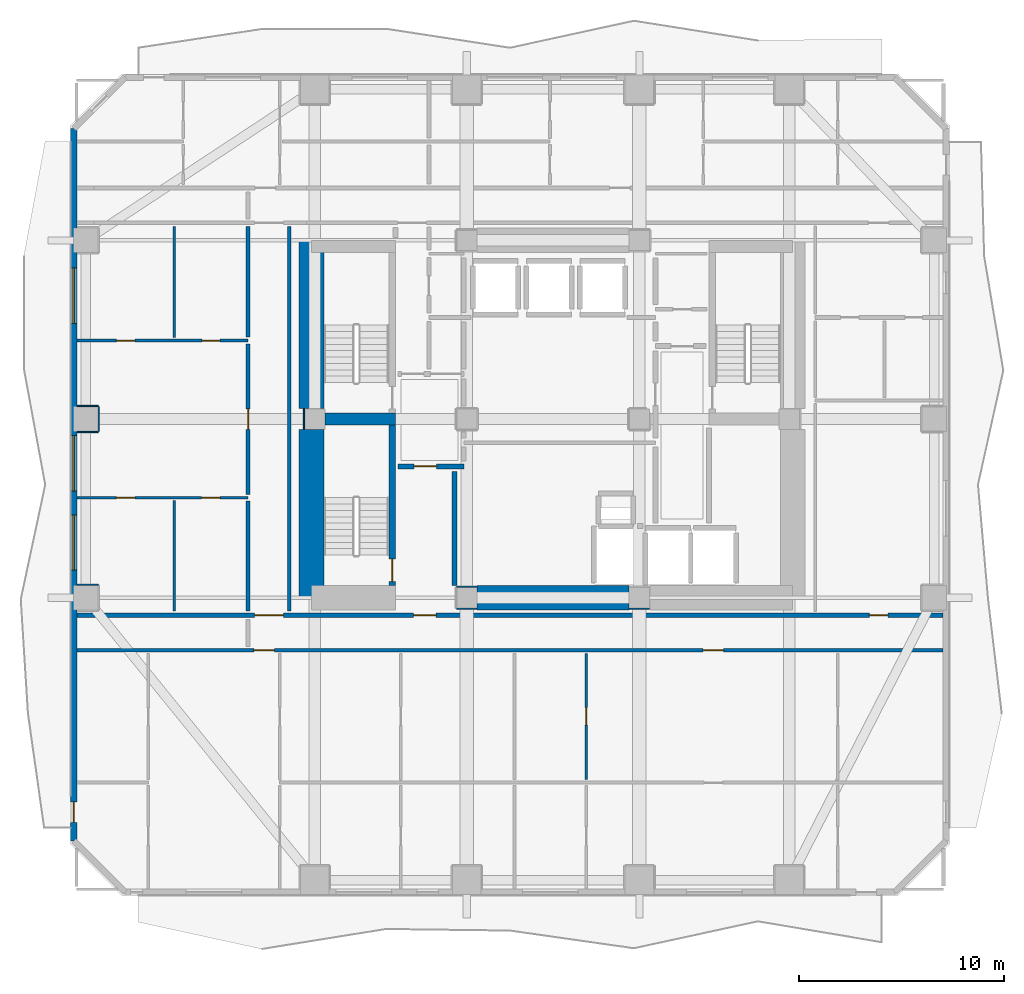
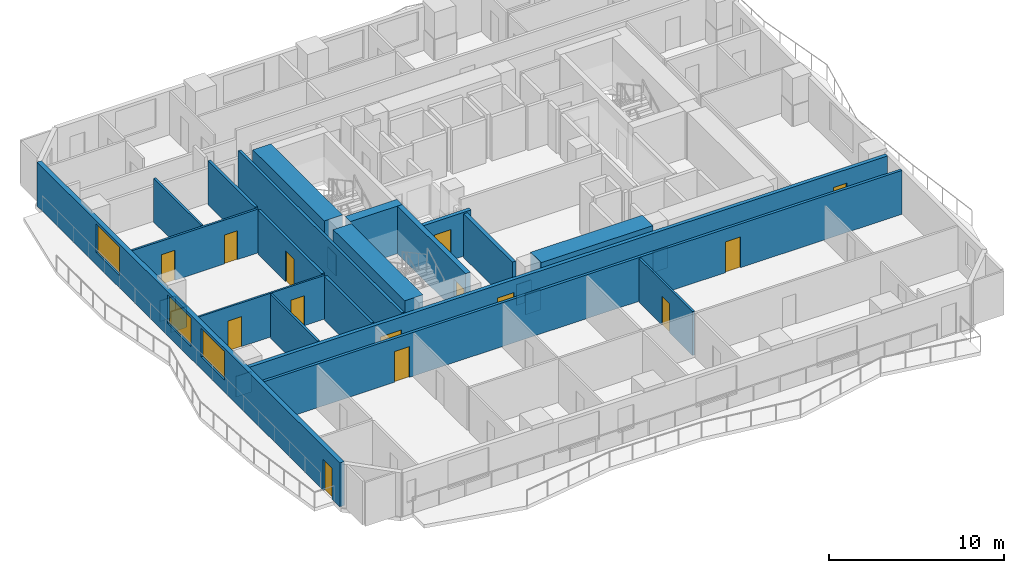
# One storey, part 3 of 11: 27 walls, 14 doors, 3 windows, 17 openings.
"""IFC4 building model written with IfcOpenShell, lengths in metres."""

from ifc_helpers import new_model, si_unit, direction, frame, frame_2d, origin, place, context, subcontext, project, spatial, rectangle, extrude, material, layer, layer_set, type_object, element, fill, save


model = new_model("IFC4")

# Units and contexts
model_context = context("Model", 3, precision=1e-05, world=origin(), true_north=direction((0.0, 1.0)))
body_context = subcontext(model_context, "Body", "Model", "MODEL_VIEW")
ifc_project = project(units=[si_unit("LENGTHUNIT", "METRE"), si_unit("AREAUNIT", "SQUARE_METRE"), si_unit("VOLUMEUNIT", "CUBIC_METRE"), si_unit("PLANEANGLEUNIT", "RADIAN"), si_unit("MASSUNIT", "GRAM", prefix="KILO")], contexts=[model_context])

# Site, building, storey
site_placement = place(None, origin())
site = spatial("IfcSite", under=ifc_project, at=site_placement, CompositionType="ELEMENT")
building_placement = place(site_placement, origin())
building = spatial("IfcBuilding", under=site, at=building_placement, Name="Solanera Arch Residences", CompositionType="ELEMENT")
storey_placement = place(building_placement, frame((0.0, 0.0, 28.639892578125)))
storey = spatial("IfcBuildingStorey", under=building, at=storey_placement, Name="L07", CompositionType="ELEMENT", Elevation=28.639892578125)

# Walls
ifc_material_1 = material(Name="Fire-Rated Gypsum Stud Partition", Category="gypsum")
ifc_layer_1 = layer(ifc_material_1, 0.06005859375)
ifc_layer_set_1 = layer_set([ifc_layer_1], Name="Fire-Rated Gypsum Stud Partition")
wall_type_1 = type_object("IfcWallType", Name="Column Acoustic Furring Wall 60", PredefinedType="PARTITIONING", material=ifc_layer_set_1)
for number, where, z_axis, x_axis, name in (
    (1, (20.300048828125, 21.468017578125, 0.0), (0.0, 0.0, 1.0), (1.0, 0.0, 0.0), "L07 Column Furring 1S"),
    (2, (20.300048828125, 22.531982421875, 0.0), (0.0, 0.0, 1.0), (1.0, 0.0, 0.0), "L07 Column Furring 1N"),
):
    element("IfcWall", number, at=place(storey_placement, frame(where, z_axis=z_axis, x_axis=x_axis)), inside=storey, type_object=wall_type_1, Name=name, PredefinedType="PARTITIONING", context=body_context, shape_type="SweptSolid", body=[
        extrude(rectangle(XDim=0.989990234375, YDim=0.06005859375, at=frame_2d((0.4951171875, 0.0))), origin(), (0.0, 0.0, 1.0), 1.4501953125),
    ])
for number, where, z_axis, x_axis, name in (
    (3, (28.7099609375, 21.468017578125, 0.0), (0.0, 0.0, 1.0), (1.0, 0.0, 0.0), "L07 Column Furring 2S"),
    (4, (12.867919921875, 30.2099609375, 0.0), (0.0, 0.0, 1.0), (0.0, 1.0, 0.0), "L07 Column Furring 5W"),
):
    element("IfcWall", number, at=place(storey_placement, frame(where, z_axis=z_axis, x_axis=x_axis)), inside=storey, type_object=wall_type_1, Name=name, PredefinedType="PARTITIONING", context=body_context, shape_type="SweptSolid", body=[
        extrude(rectangle(XDim=0.97998046875, YDim=0.06005859375, at=frame_2d((0.489990234375, 0.0))), origin(), (0.0, 0.0, 1.0), 1.4501953125),
    ])
for number, where, z_axis, x_axis, name in (
    (5, (1.830078125, 22.632080078125, 0.0), (0.0, 0.0, 1.0), (1.0, 0.0, 0.0), "L07 Column Furring 17N"),
    (6, (1.830078125, 30.068115234375, 0.0), (0.0, 0.0, 1.0), (1.0, 0.0, 0.0), "L07 Column Furring 19S"),
    (7, (1.830078125, 31.33203125, 0.0), (0.0, 0.0, 1.0), (1.0, 0.0, 0.0), "L07 Column Furring 19N"),
):
    element("IfcWall", number, at=place(storey_placement, frame(where, z_axis=z_axis, x_axis=x_axis)), inside=storey, type_object=wall_type_1, Name=name, PredefinedType="PARTITIONING", context=body_context, shape_type="SweptSolid", body=[
        extrude(rectangle(XDim=1.02001953125, YDim=0.06005859375, at=frame_2d((0.510009765625, 0.0))), origin(), (0.0, 0.0, 1.0), 1.4501953125),
    ])
wall_1_placement = place(storey_placement, frame((2.882080078125, 30.10009765625, 0.0), z_axis=(0.0, 0.0, 1.0), x_axis=(0.0, 1.0, 0.0)))
element("IfcWall", 8, at=wall_1_placement, inside=storey, type_object=wall_type_1, Name="L07 Column Furring 19E", PredefinedType="PARTITIONING", context=body_context, shape_type="SweptSolid", body=[
    extrude(rectangle(XDim=1.199951171875, YDim=0.06005859375, at=frame_2d((0.60009765625, 0.0))), origin(), (0.0, 0.0, 1.0), 1.4501953125),
])
ifc_material_2 = material(Name="Concrete C55/67 (f'c = 60 MPa)", Category="concrete")
ifc_layer_2 = layer(ifc_material_2, 1.199951171875)
ifc_layer_set_2 = layer_set([ifc_layer_2], Name="Concrete C55/67 (f'c = 60 MPa)")
wall_type_2 = type_object("IfcWallType", Name="Core Shear Wall CW-1200", PredefinedType="SHEAR", material=ifc_layer_set_2)
wall_2_placement = place(storey_placement, frame((13.239990234375, 22.0, 0.0), z_axis=(0.0, 0.0, 1.0), x_axis=(0.0, 1.0, 0.0)))
element("IfcWall", 9, at=wall_2_placement, inside=storey, type_object=wall_type_2, Name="L07 West Core South Shear Wall", PredefinedType="SHEAR", context=body_context, shape_type="SweptSolid", body=[
    extrude(rectangle(XDim=8.195068359375, YDim=1.199951171875, at=frame_2d((4.09765625, 0.0))), origin(), (0.0, 0.0, 1.0), 3.320068359375),
])
wall_3_placement = place(storey_placement, frame((13.239990234375, 31.205078125, 0.0), z_axis=(0.0, 0.0, 1.0), x_axis=(0.0, 1.0, 0.0)))
element("IfcWall", 10, at=wall_3_placement, inside=storey, type_object=wall_type_2, Name="L07 West Core North Shear Wall", PredefinedType="SHEAR", context=body_context, shape_type="SweptSolid", body=[
    extrude(rectangle(XDim=8.19482421875, YDim=1.199951171875, at=frame_2d((4.097412109375, 0.0))), origin(), (0.0, 0.0, 1.0), 3.320068359375),
])
wall_4_placement = place(storey_placement, frame((21.304931640625, 22.0, 0.0), z_axis=(0.0, 0.0, 1.0), x_axis=(1.0, 0.0, 0.0)))
element("IfcWall", 11, at=wall_4_placement, inside=storey, type_object=wall_type_2, Name="L07 Central South Core Shear Wall", PredefinedType="SHEAR", context=body_context, shape_type="SweptSolid", body=[
    extrude(rectangle(XDim=7.39013671875, YDim=1.199951171875, at=frame_2d((3.695068359375, 0.0))), origin(), (0.0, 0.0, 1.0), 3.320068359375),
])

# Wall, opening, door
ifc_material_3 = material(Name="Concrete C40/50 (f'c = 45 MPa)", Category="concrete")
ifc_layer_3 = layer(ifc_material_3, 0.320068359375)
ifc_layer_set_3 = layer_set([ifc_layer_3], Name="Concrete C40/50 (f'c = 45 MPa)")
wall_type_3 = type_object("IfcWallType", Name="Core Shear Wall CW-320", PredefinedType="SHEAR", material=ifc_layer_set_3)
wall_5_placement = place(storey_placement, frame((17.159912109375, 22.60009765625, 0.0), z_axis=(0.0, 0.0, 1.0), x_axis=(0.0, 1.0, 0.0)))
wall_5 = element("IfcWall", 12, at=wall_5_placement, inside=storey, type_object=wall_type_3, Name="L07 Stair ST-T3 East Shear Wall", PredefinedType="SHEAR", context=body_context, shape_type="SweptSolid", body=[
    extrude(rectangle(XDim=7.7998046875, YDim=0.320068359375, at=frame_2d((3.89990234375, 0.0))), origin(), (0.0, 0.0, 1.0), 3.320068359375),
])
opening_1_placement = place(wall_5_placement, frame((0.18994140625, 0.0, 0.0)))
opening_1 = element("IfcOpeningElement", 13, at=opening_1_placement, cuts=wall_5, Name="Opening DF-01", PredefinedType="OPENING", context=body_context, shape_type="SweptSolid", body=[
    extrude(rectangle(XDim=1.10009765625, YDim=2.14990234375, at=frame_2d((0.550048828125, 1.074951171875))), frame((0.0, 0.169921875, 0.0), z_axis=(0.0, -1.0, 0.0), x_axis=(1.0, 0.0, 0.0)), (0.0, 0.0, 1.0), 0.3401),
])
ifc_material_4 = material(Name="Fire-Rated Architectural Hardwood", Category="wood")
door_type_1 = type_object("IfcDoorType", Name="Stair Exit Fire Door DF-01", OperationType="NOTDEFINED", PredefinedType="DOOR", material=ifc_material_4)
door_1_placement = place(opening_1_placement, origin())
door_1 = element("IfcDoor", 14, at=door_1_placement, inside=storey, type_object=door_type_1, Name="DR-L07-STAIR-ST-T3", OperationType="SINGLE_SWING_RIGHT", OverallHeight=2.14990234375, OverallWidth=1.10009765625, PredefinedType="DOOR", context=body_context, shape_type="SweptSolid", body=[
    extrude(rectangle(XDim=1.10009765625, YDim=2.14990234375, at=frame_2d((0.550048828125, 1.074951171875))), frame((0.0, 0.02490234375, 0.0), z_axis=(0.0, -1.0, 0.0), x_axis=(1.0, 0.0, 0.0)), (0.0, 0.0, 1.0), 0.050048828125),
])
fill(opening_1, door_1)

# Wall
ifc_material_5 = material(Name="Concrete C40/50 (f'c = 45 MPa)", Category="concrete")
ifc_layer_4 = layer(ifc_material_5, 0.60009765625)
ifc_layer_set_4 = layer_set([ifc_layer_4], Name="Concrete C40/50 (f'c = 45 MPa)")
wall_type_4 = type_object("IfcWallType", Name="Core Shear Wall CW-600", PredefinedType="SHEAR", material=ifc_layer_set_4)
wall_6_placement = place(storey_placement, frame((13.905029296875, 30.699951171875, 0.0), z_axis=(0.0, 0.0, 1.0), x_axis=(1.0, 0.0, 0.0)))
element("IfcWall", 15, at=wall_6_placement, inside=storey, type_object=wall_type_4, Name="L07 West Stair Divider Shear Wall", PredefinedType="SHEAR", context=body_context, shape_type="SweptSolid", body=[
    extrude(rectangle(XDim=3.4150390625, YDim=0.60009765625, at=frame_2d((1.70751953125, 0.0))), origin(), (0.0, 0.0, 1.0), 3.320068359375),
])

# Wall, openings, doors
ifc_material_6 = material(Name="Autoclaved Aerated Concrete Blockwork", Category="masonry")
ifc_layer_5 = layer(ifc_material_6, 0.179931640625)
ifc_layer_set_5 = layer_set([ifc_layer_5], Name="Autoclaved Aerated Concrete Blockwork")
wall_type_5 = type_object("IfcWallType", Name="Corridor Fire Partition 180", PredefinedType="PARTITIONING", material=ifc_layer_set_5)
wall_7_placement = place(storey_placement, frame((1.826904296875, 19.449951171875, 0.0), z_axis=(0.0, 0.0, 1.0), x_axis=(1.0, 0.0, 0.0)))
wall_7 = element("IfcWall", 16, at=wall_7_placement, inside=storey, type_object=wall_type_5, Name="L07 Interior Partition H8", PredefinedType="PARTITIONING", context=body_context, shape_type="SweptSolid", body=[
    extrude(rectangle(XDim=42.14599609375, YDim=0.179931640625, at=frame_2d((21.072998046875, 0.0))), origin(), (0.0, 0.0, 1.0), 3.06005859375),
])
opening_2_placement = place(wall_7_placement, frame((8.60205078125, 0.0, 0.0)))
opening_2 = element("IfcOpeningElement", 17, at=opening_2_placement, cuts=wall_7, Name="Opening DI-01", PredefinedType="OPENING", context=body_context, shape_type="SweptSolid", body=[
    extrude(rectangle(XDim=1.0, YDim=2.14990234375, at=frame_2d((0.5, 1.074951171875))), frame((0.0, 0.10009765625, 0.0), z_axis=(0.0, -1.0, 0.0), x_axis=(1.0, 0.0, 0.0)), (0.0, 0.0, 1.0), 0.1999),
])
opening_3_placement = place(wall_7_placement, frame((30.47509765625, 0.0, 0.0)))
opening_3 = element("IfcOpeningElement", 18, at=opening_3_placement, cuts=wall_7, Name="Opening DI-01", PredefinedType="OPENING", context=body_context, shape_type="SweptSolid", body=[
    extrude(rectangle(XDim=1.0, YDim=2.14990234375, at=frame_2d((0.5, 1.074951171875))), frame((0.0, 0.10009765625, 0.0), z_axis=(0.0, -1.0, 0.0), x_axis=(1.0, 0.0, 0.0)), (0.0, 0.0, 1.0), 0.1999),
])
ifc_material_7 = material(Name="Fire-Rated Architectural Hardwood", Category="wood")
door_type_2 = type_object("IfcDoorType", Name="Unit Entrance Fire Door DI-01", OperationType="NOTDEFINED", PredefinedType="DOOR", material=ifc_material_7)
door_2_placement = place(opening_2_placement, origin())
door_2 = element("IfcDoor", 19, at=door_2_placement, inside=storey, type_object=door_type_2, Name="DR-L07-IN-015", OperationType="SINGLE_SWING_RIGHT", OverallHeight=2.14990234375, OverallWidth=1.0, PredefinedType="DOOR", context=body_context, shape_type="SweptSolid", body=[
    extrude(rectangle(XDim=1.0, YDim=2.14990234375, at=frame_2d((0.5, 1.074951171875))), frame((0.0, 0.02490234375, 0.0), z_axis=(0.0, -1.0, 0.0), x_axis=(1.0, 0.0, 0.0)), (0.0, 0.0, 1.0), 0.050048828125),
])
fill(opening_2, door_2)
door_3_placement = place(opening_3_placement, origin())
door_3 = element("IfcDoor", 20, at=door_3_placement, inside=storey, type_object=door_type_2, Name="DR-L07-IN-022", OperationType="SINGLE_SWING_LEFT", OverallHeight=2.14990234375, OverallWidth=1.0, PredefinedType="DOOR", context=body_context, shape_type="SweptSolid", body=[
    extrude(rectangle(XDim=1.0, YDim=2.14990234375, at=frame_2d((0.5, 1.074951171875))), frame((0.0, 0.02490234375, 0.0), z_axis=(0.0, -1.0, 0.0), x_axis=(1.0, 0.0, 0.0)), (0.0, 0.0, 1.0), 0.050048828125),
])
fill(opening_3, door_3)

# Wall
wall_8_placement = place(storey_placement, frame((10.14990234375, 21.367919921875, 0.0), z_axis=(0.0, 0.0, 1.0), x_axis=(0.0, 1.0, 0.0)))
element("IfcWall", 21, at=wall_8_placement, inside=storey, type_object=wall_type_5, Name="L07 Interior Partition V8 2", PredefinedType="PARTITIONING", context=body_context, shape_type="SweptSolid", body=[
    extrude(rectangle(XDim=5.35400390625, YDim=0.179931640625, at=frame_2d((2.677001953125, 0.0))), origin(), (0.0, 0.0, 1.0), 3.06005859375),
])

# Wall, opening, door
wall_9_placement = place(storey_placement, frame((10.14990234375, 27.0380859375, 0.0), z_axis=(0.0, 0.0, 1.0), x_axis=(0.0, 1.0, 0.0)))
wall_9 = element("IfcWall", 22, at=wall_9_placement, inside=storey, type_object=wall_type_5, Name="L07 Interior Partition V8 3", PredefinedType="PARTITIONING", context=body_context, shape_type="SweptSolid", body=[
    extrude(rectangle(XDim=7.31396484375, YDim=0.179931640625, at=frame_2d((3.656982421875, 0.0))), origin(), (0.0, 0.0, 1.0), 3.06005859375),
])
opening_4_placement = place(wall_9_placement, frame((3.162109375, 0.0, 0.0)))
opening_4 = element("IfcOpeningElement", 23, at=opening_4_placement, cuts=wall_9, Name="Opening DI-01", PredefinedType="OPENING", context=body_context, shape_type="SweptSolid", body=[
    extrude(rectangle(XDim=1.0, YDim=2.14990234375, at=frame_2d((0.5, 1.074951171875))), frame((0.0, 0.10009765625, 0.0), z_axis=(0.0, -1.0, 0.0), x_axis=(1.0, 0.0, 0.0)), (0.0, 0.0, 1.0), 0.1999),
])
door_4_placement = place(opening_4_placement, origin())
door_4 = element("IfcDoor", 24, at=door_4_placement, inside=storey, type_object=door_type_2, Name="DR-L07-IN-040", OperationType="SINGLE_SWING_LEFT", OverallHeight=2.14990234375, OverallWidth=1.0, PredefinedType="DOOR", context=body_context, shape_type="SweptSolid", body=[
    extrude(rectangle(XDim=1.0, YDim=2.14990234375, at=frame_2d((0.5, 1.074951171875))), frame((0.0, 0.02490234375, 0.0), z_axis=(0.0, -1.0, 0.0), x_axis=(1.0, 0.0, 0.0)), (0.0, 0.0, 1.0), 0.050048828125),
])
fill(opening_4, door_4)

# Walls
wall_10_placement = place(storey_placement, frame((10.14990234375, 34.68798828125, 0.0), z_axis=(0.0, 0.0, 1.0), x_axis=(0.0, 1.0, 0.0)))
element("IfcWall", 25, at=wall_10_placement, inside=storey, type_object=wall_type_5, Name="L07 Interior Partition V8 4", PredefinedType="PARTITIONING", context=body_context, shape_type="SweptSolid", body=[
    extrude(rectangle(XDim=5.3740234375, YDim=0.179931640625, at=frame_2d((2.68701171875, 0.0))), origin(), (0.0, 0.0, 1.0), 3.06005859375),
])
wall_11_placement = place(storey_placement, frame((12.14990234375, 21.367919921875, 0.0), z_axis=(0.0, 0.0, 1.0), x_axis=(0.0, 1.0, 0.0)))
element("IfcWall", 26, at=wall_11_placement, inside=storey, type_object=wall_type_5, Name="L07 Interior Partition V9", PredefinedType="PARTITIONING", context=body_context, shape_type="SweptSolid", body=[
    extrude(rectangle(XDim=18.694091796875, YDim=0.179931640625, at=frame_2d((9.34716796875, 0.0))), origin(), (0.0, 0.0, 1.0), 3.06005859375),
])

# Wall, openings, door, windows
ifc_material_8 = material(Name="Precast Concrete C35/45", Category="concrete")
ifc_layer_6 = layer(ifc_material_8, 0.300048828125)
ifc_layer_set_6 = layer_set([ifc_layer_6], Name="Precast Concrete C35/45")
wall_type_6 = type_object("IfcWallType", Name="Exterior Wall Precast Masonry-Frame 300", PredefinedType="STANDARD", material=ifc_layer_set_6)
wall_12_placement = place(storey_placement, frame((1.6650390625, 10.1650390625, 0.0), z_axis=(0.0, 0.0, 1.0), x_axis=(0.0, 1.0, 0.0)))
wall_12 = element("IfcWall", 27, at=wall_12_placement, inside=storey, type_object=wall_type_6, Name="L07 Tower Exterior Precast Masonry-Frame Wall W", PredefinedType="STANDARD", context=body_context, shape_type="SweptSolid", body=[
    extrude(rectangle(XDim=34.669921875, YDim=0.300048828125, at=frame_2d((17.3349609375, 0.0))), origin(), (0.0, 0.0, 1.0), 3.06005859375),
])
opening_5_placement = place(wall_12_placement, frame((0.90087890625, 0.0, 0.0)))
opening_5 = element("IfcOpeningElement", 28, at=opening_5_placement, cuts=wall_12, Name="Opening DB-01", PredefinedType="OPENING", context=body_context, shape_type="SweptSolid", body=[
    extrude(rectangle(XDim=1.0, YDim=2.14990234375, at=frame_2d((0.5, 1.074951171875))), frame((0.0, 0.159912109375, 0.0), z_axis=(0.0, -1.0, 0.0), x_axis=(1.0, 0.0, 0.0)), (0.0, 0.0, 1.0), 0.32),
])
opening_6_placement = place(wall_12_placement, frame((17.02490234375, 0.0, 0.85009765625)))
opening_6 = element("IfcOpeningElement", 29, at=opening_6_placement, cuts=wall_12, Name="Opening W-09", PredefinedType="OPENING", context=body_context, shape_type="SweptSolid", body=[
    extrude(rectangle(XDim=2.699951171875, YDim=2.0, at=frame_2d((1.35009765625, 1.0))), frame((0.0, 0.159912109375, 0.0), z_axis=(0.0, -1.0, 0.0), x_axis=(1.0, 0.0, 0.0)), (0.0, 0.0, 1.0), 0.32),
])
opening_7_placement = place(wall_12_placement, frame((13.175048828125, 0.0, 0.85009765625)))
opening_7 = element("IfcOpeningElement", 30, at=opening_7_placement, cuts=wall_12, Name="Opening W-09", PredefinedType="OPENING", context=body_context, shape_type="SweptSolid", body=[
    extrude(rectangle(XDim=2.699951171875, YDim=2.0, at=frame_2d((1.35009765625, 1.0))), frame((0.0, 0.159912109375, 0.0), z_axis=(0.0, -1.0, 0.0), x_axis=(1.0, 0.0, 0.0)), (0.0, 0.0, 1.0), 0.32),
])
opening_8_placement = place(wall_12_placement, frame((25.195068359375, 0.0, 0.85009765625)))
opening_8 = element("IfcOpeningElement", 31, at=opening_8_placement, cuts=wall_12, Name="Opening W-09", PredefinedType="OPENING", context=body_context, shape_type="SweptSolid", body=[
    extrude(rectangle(XDim=2.699951171875, YDim=2.0, at=frame_2d((1.35009765625, 1.0))), frame((0.0, 0.159912109375, 0.0), z_axis=(0.0, -1.0, 0.0), x_axis=(1.0, 0.0, 0.0)), (0.0, 0.0, 1.0), 0.32),
])
ifc_material_9 = material(Name="Anodised Aluminium Alloy 6063-T6", Category="aluminium")
door_type_3 = type_object("IfcDoorType", Name="Glazed Balcony Swing Door DB-01", OperationType="NOTDEFINED", PredefinedType="DOOR", material=ifc_material_9)
door_5_placement = place(opening_5_placement, origin())
door_5 = element("IfcDoor", 32, at=door_5_placement, inside=storey, type_object=door_type_3, Name="DR-L07-OUT-04", OperationType="SINGLE_SWING_RIGHT", OverallHeight=2.14990234375, OverallWidth=1.0, PredefinedType="DOOR", context=body_context, shape_type="SweptSolid", body=[
    extrude(rectangle(XDim=1.0, YDim=2.14990234375, at=frame_2d((0.5, 1.074951171875))), frame((0.0, 0.02490234375, 0.0), z_axis=(0.0, -1.0, 0.0), x_axis=(1.0, 0.0, 0.0)), (0.0, 0.0, 1.0), 0.050048828125),
])
fill(opening_5, door_5)
ifc_material_10 = material(Name="Double Glazed Low-E Laminated Glass", Category="glass")
window_type = type_object("IfcWindowType", Name="Punched Window W-09", PartitioningType="TRIPLE_PANEL_VERTICAL", PredefinedType="WINDOW", material=ifc_material_10)
window_1_placement = place(opening_6_placement, origin())
window_1 = element("IfcWindow", 33, at=window_1_placement, inside=storey, type_object=window_type, Name="L07 0705-LIV Punched Window", OverallHeight=2.0, OverallWidth=2.699951171875, PartitioningType="SINGLE_PANEL", PredefinedType="WINDOW", context=body_context, shape_type="SweptSolid", body=[
    extrude(rectangle(XDim=2.699951171875, YDim=2.0, at=frame_2d((1.35009765625, 1.0))), frame((0.0, 0.030029296875, 0.0), z_axis=(0.0, -1.0, 0.0), x_axis=(1.0, 0.0, 0.0)), (0.0, 0.0, 1.0), 0.06005859375),
])
fill(opening_6, window_1)
window_2_placement = place(opening_7_placement, origin())
window_2 = element("IfcWindow", 34, at=window_2_placement, inside=storey, type_object=window_type, Name="L07 0705-BR2 Punched Window", OverallHeight=2.0, OverallWidth=2.699951171875, PartitioningType="SINGLE_PANEL", PredefinedType="WINDOW", context=body_context, shape_type="SweptSolid", body=[
    extrude(rectangle(XDim=2.699951171875, YDim=2.0, at=frame_2d((1.35009765625, 1.0))), frame((0.0, 0.030029296875, 0.0), z_axis=(0.0, -1.0, 0.0), x_axis=(1.0, 0.0, 0.0)), (0.0, 0.0, 1.0), 0.06005859375),
])
fill(opening_7, window_2)
window_3_placement = place(opening_8_placement, origin())
window_3 = element("IfcWindow", 35, at=window_3_placement, inside=storey, type_object=window_type, Name="L07 0705-BR1 Punched Window", OverallHeight=2.0, OverallWidth=2.699951171875, PartitioningType="SINGLE_PANEL", PredefinedType="WINDOW", context=body_context, shape_type="SweptSolid", body=[
    extrude(rectangle(XDim=2.699951171875, YDim=2.0, at=frame_2d((1.35009765625, 1.0))), frame((0.0, 0.030029296875, 0.0), z_axis=(0.0, -1.0, 0.0), x_axis=(1.0, 0.0, 0.0)), (0.0, 0.0, 1.0), 0.06005859375),
])
fill(opening_8, window_3)

# Wall, openings, doors
ifc_material_11 = material(Name="Autoclaved Aerated Concrete Blockwork", Category="masonry")
ifc_layer_7 = layer(ifc_material_11, 0.239990234375)
ifc_layer_set_7 = layer_set([ifc_layer_7], Name="Autoclaved Aerated Concrete Blockwork")
wall_type_7 = type_object("IfcWallType", Name="Shaft Wall Fire-Rated 240", PredefinedType="PARTITIONING", material=ifc_layer_set_7)
wall_13_placement = place(storey_placement, frame((1.826904296875, 21.14990234375, 0.0), z_axis=(0.0, 0.0, 1.0), x_axis=(1.0, 0.0, 0.0)))
wall_13 = element("IfcWall", 36, at=wall_13_placement, inside=storey, type_object=wall_type_7, Name="L07 Interior Partition H1", PredefinedType="PARTITIONING", context=body_context, shape_type="SweptSolid", body=[
    extrude(rectangle(XDim=42.14599609375, YDim=0.239990234375, at=frame_2d((21.072998046875, 0.0))), origin(), (0.0, 0.0, 1.0), 3.06005859375),
])
opening_9_placement = place(wall_13_placement, frame((16.383056640625, 0.0, 0.0)))
opening_9 = element("IfcOpeningElement", 37, at=opening_9_placement, cuts=wall_13, Name="Opening DF-02", PredefinedType="OPENING", context=body_context, shape_type="SweptSolid", body=[
    extrude(rectangle(XDim=1.10009765625, YDim=2.14990234375, at=frame_2d((0.550048828125, 1.074951171875))), frame((0.0, 0.1298828125, 0.0), z_axis=(0.0, -1.0, 0.0), x_axis=(1.0, 0.0, 0.0)), (0.0, 0.0, 1.0), 0.26),
])
opening_10_placement = place(wall_13_placement, frame((8.64697265625, 0.0, 0.0)))
opening_10 = element("IfcOpeningElement", 38, at=opening_10_placement, cuts=wall_13, Name="Opening DF-03", PredefinedType="OPENING", context=body_context, shape_type="SweptSolid", body=[
    extrude(rectangle(XDim=1.39990234375, YDim=2.14990234375, at=frame_2d((0.699951171875, 1.074951171875))), frame((0.0, 0.1298828125, 0.0), z_axis=(0.0, -1.0, 0.0), x_axis=(1.0, 0.0, 0.0)), (0.0, 0.0, 1.0), 0.26),
])
opening_11_placement = place(wall_13_placement, frame((38.573974609375, 0.0, 0.0)))
opening_11 = element("IfcOpeningElement", 39, at=opening_11_placement, cuts=wall_13, Name="Opening DI-02", PredefinedType="OPENING", context=body_context, shape_type="SweptSolid", body=[
    extrude(rectangle(XDim=0.89990234375, YDim=2.10009765625, at=frame_2d((0.449951171875, 1.050048828125))), frame((0.0, 0.1298828125, 0.0), z_axis=(0.0, -1.0, 0.0), x_axis=(1.0, 0.0, 0.0)), (0.0, 0.0, 1.0), 0.26),
])
ifc_material_12 = material(Name="Fire-Rated Architectural Hardwood", Category="wood")
door_type_4 = type_object("IfcDoorType", Name="Corridor Smoke Door DF-03", OperationType="NOTDEFINED", PredefinedType="DOOR", material=ifc_material_12)
door_6_placement = place(opening_10_placement, origin())
door_6 = element("IfcDoor", 40, at=door_6_placement, inside=storey, type_object=door_type_4, Name="DR-L07-IN-010", OperationType="SINGLE_SWING_LEFT", OverallHeight=2.14990234375, OverallWidth=1.39990234375, PredefinedType="DOOR", context=body_context, shape_type="SweptSolid", body=[
    extrude(rectangle(XDim=1.39990234375, YDim=2.14990234375, at=frame_2d((0.699951171875, 1.074951171875))), frame((0.0, 0.02490234375, 0.0), z_axis=(0.0, -1.0, 0.0), x_axis=(1.0, 0.0, 0.0)), (0.0, 0.0, 1.0), 0.050048828125),
])
fill(opening_10, door_6)
ifc_material_13 = material(Name="Fire-Rated Architectural Hardwood", Category="wood")
door_type_5 = type_object("IfcDoorType", Name="Firefighting Lobby Fire Door DF-02", OperationType="NOTDEFINED", PredefinedType="DOOR", material=ifc_material_13)
door_7_placement = place(opening_9_placement, origin())
door_7 = element("IfcDoor", 41, at=door_7_placement, inside=storey, type_object=door_type_5, Name="DR-L07-IN-008", OperationType="SINGLE_SWING_LEFT", OverallHeight=2.14990234375, OverallWidth=1.10009765625, PredefinedType="DOOR", context=body_context, shape_type="SweptSolid", body=[
    extrude(rectangle(XDim=1.10009765625, YDim=2.14990234375, at=frame_2d((0.550048828125, 1.074951171875))), frame((0.0, 0.02490234375, 0.0), z_axis=(0.0, -1.0, 0.0), x_axis=(1.0, 0.0, 0.0)), (0.0, 0.0, 1.0), 0.050048828125),
])
fill(opening_9, door_7)
ifc_material_14 = material(Name="Fire-Rated Architectural Hardwood", Category="wood")
door_type_6 = type_object("IfcDoorType", Name="Suite Room Swing Door DI-02", OperationType="NOTDEFINED", PredefinedType="DOOR", material=ifc_material_14)
door_8_placement = place(opening_11_placement, origin())
door_8 = element("IfcDoor", 42, at=door_8_placement, inside=storey, type_object=door_type_6, Name="DR-L07-IN-045", OperationType="SINGLE_SWING_RIGHT", OverallHeight=2.10009765625, OverallWidth=0.89990234375, PredefinedType="DOOR", context=body_context, shape_type="SweptSolid", body=[
    extrude(rectangle(XDim=0.89990234375, YDim=2.10009765625, at=frame_2d((0.449951171875, 1.050048828125))), frame((0.0, 0.02490234375, 0.0), z_axis=(0.0, -1.0, 0.0), x_axis=(1.0, 0.0, 0.0)), (0.0, 0.0, 1.0), 0.050048828125),
])
fill(opening_11, door_8)

# Wall, opening, door
wall_14_placement = place(storey_placement, frame((17.449951171875, 28.39990234375, 0.0), z_axis=(0.0, 0.0, 1.0), x_axis=(1.0, 0.0, 0.0)))
wall_14 = element("IfcWall", 43, at=wall_14_placement, inside=storey, type_object=wall_type_7, Name="L07 Interior Partition H3", PredefinedType="PARTITIONING", context=body_context, shape_type="SweptSolid", body=[
    extrude(rectangle(XDim=3.199951171875, YDim=0.239990234375, at=frame_2d((1.60009765625, 0.0))), origin(), (0.0, 0.0, 1.0), 3.06005859375),
])
opening_12_placement = place(wall_14_placement, frame((0.783935546875, 0.0, 0.0)))
opening_12 = element("IfcOpeningElement", 44, at=opening_12_placement, cuts=wall_14, Name="Opening DF-02", PredefinedType="OPENING", context=body_context, shape_type="SweptSolid", body=[
    extrude(rectangle(XDim=1.10009765625, YDim=2.14990234375, at=frame_2d((0.550048828125, 1.074951171875))), frame((0.0, 0.1298828125, 0.0), z_axis=(0.0, -1.0, 0.0), x_axis=(1.0, 0.0, 0.0)), (0.0, 0.0, 1.0), 0.26),
])
door_9_placement = place(opening_12_placement, origin())
door_9 = element("IfcDoor", 45, at=door_9_placement, inside=storey, type_object=door_type_5, Name="DR-L07-IN-004", OperationType="SINGLE_SWING_LEFT", OverallHeight=2.14990234375, OverallWidth=1.10009765625, PredefinedType="DOOR", context=body_context, shape_type="SweptSolid", body=[
    extrude(rectangle(XDim=1.10009765625, YDim=2.14990234375, at=frame_2d((0.550048828125, 1.074951171875))), frame((0.0, 0.02490234375, 0.0), z_axis=(0.0, -1.0, 0.0), x_axis=(1.0, 0.0, 0.0)), (0.0, 0.0, 1.0), 0.050048828125),
])
fill(opening_12, door_9)

# Wall
wall_15_placement = place(storey_placement, frame((20.199951171875, 22.5859375, 0.0), z_axis=(0.0, 0.0, 1.0), x_axis=(0.0, 1.0, 0.0)))
element("IfcWall", 46, at=wall_15_placement, inside=storey, type_object=wall_type_7, Name="L07 Interior Partition V2", PredefinedType="PARTITIONING", context=body_context, shape_type="SweptSolid", body=[
    extrude(rectangle(XDim=5.566162109375, YDim=0.239990234375, at=frame_2d((2.783203125, 0.0))), origin(), (0.0, 0.0, 1.0), 3.06005859375),
])

# Wall, openings, doors
ifc_material_15 = material(Name="Fire-Rated Gypsum Stud Partition", Category="gypsum")
ifc_layer_8 = layer(ifc_material_15, 0.1201171875)
ifc_layer_set_8 = layer_set([ifc_layer_8], Name="Fire-Rated Gypsum Stud Partition")
wall_type_8 = type_object("IfcWallType", Name="Unit Drywall Partition 120", PredefinedType="PARTITIONING", material=ifc_layer_set_8)
wall_16_placement = place(storey_placement, frame((1.826904296875, 26.8798828125, 0.0), z_axis=(0.0, 0.0, 1.0), x_axis=(1.0, 0.0, 0.0)))
wall_16 = element("IfcWall", 47, at=wall_16_placement, inside=storey, type_object=wall_type_8, Name="L07 Interior Partition H23", PredefinedType="PARTITIONING", context=body_context, shape_type="SweptSolid", body=[
    extrude(rectangle(XDim=8.322998046875, YDim=0.1201171875, at=frame_2d((4.16162109375, 0.0))), origin(), (0.0, 0.0, 1.0), 3.06005859375),
])
opening_13_placement = place(wall_16_placement, frame((6.06494140625, 0.0, 0.0)))
opening_13 = element("IfcOpeningElement", 48, at=opening_13_placement, cuts=wall_16, Name="Opening DI-02", PredefinedType="OPENING", context=body_context, shape_type="SweptSolid", body=[
    extrude(rectangle(XDim=0.89990234375, YDim=2.10009765625, at=frame_2d((0.449951171875, 1.050048828125))), frame((0.0, 0.070068359375, 0.0), z_axis=(0.0, -1.0, 0.0), x_axis=(1.0, 0.0, 0.0)), (0.0, 0.0, 1.0), 0.1401),
])
opening_14_placement = place(wall_16_placement, frame((1.9150390625, 0.0, 0.0)))
opening_14 = element("IfcOpeningElement", 49, at=opening_14_placement, cuts=wall_16, Name="Opening DI-03", PredefinedType="OPENING", context=body_context, shape_type="SweptSolid", body=[
    extrude(rectangle(XDim=0.89990234375, YDim=2.10009765625, at=frame_2d((0.449951171875, 1.050048828125))), frame((0.0, 0.070068359375, 0.0), z_axis=(0.0, -1.0, 0.0), x_axis=(1.0, 0.0, 0.0)), (0.0, 0.0, 1.0), 0.1401),
])
ifc_material_16 = material(Name="Fire-Rated Architectural Hardwood", Category="wood")
door_type_7 = type_object("IfcDoorType", Name="Bedroom Swing Door DI-03", OperationType="NOTDEFINED", PredefinedType="DOOR", material=ifc_material_16)
door_10_placement = place(opening_14_placement, origin())
door_10 = element("IfcDoor", 50, at=door_10_placement, inside=storey, type_object=door_type_7, Name="DR-L07-IN-042", OperationType="SINGLE_SWING_LEFT", OverallHeight=2.10009765625, OverallWidth=0.89990234375, PredefinedType="DOOR", context=body_context, shape_type="SweptSolid", body=[
    extrude(rectangle(XDim=0.89990234375, YDim=2.10009765625, at=frame_2d((0.449951171875, 1.050048828125))), frame((0.0, 0.02490234375, 0.0), z_axis=(0.0, -1.0, 0.0), x_axis=(1.0, 0.0, 0.0)), (0.0, 0.0, 1.0), 0.050048828125),
])
fill(opening_14, door_10)
door_11_placement = place(opening_13_placement, origin())
door_11 = element("IfcDoor", 51, at=door_11_placement, inside=storey, type_object=door_type_6, Name="DR-L07-IN-041", OperationType="SINGLE_SWING_RIGHT", OverallHeight=2.10009765625, OverallWidth=0.89990234375, PredefinedType="DOOR", context=body_context, shape_type="SweptSolid", body=[
    extrude(rectangle(XDim=0.89990234375, YDim=2.10009765625, at=frame_2d((0.449951171875, 1.050048828125))), frame((0.0, 0.02490234375, 0.0), z_axis=(0.0, -1.0, 0.0), x_axis=(1.0, 0.0, 0.0)), (0.0, 0.0, 1.0), 0.050048828125),
])
fill(opening_13, door_11)

ifc_material_17 = material(Name="Autoclaved Aerated Concrete Blockwork", Category="masonry")
ifc_layer_9 = layer(ifc_material_17, 0.139892578125)
ifc_layer_set_9 = layer_set([ifc_layer_9], Name="Autoclaved Aerated Concrete Blockwork")
wall_type_9 = type_object("IfcWallType", Name="Wet-Room Partition 140", PredefinedType="PARTITIONING", material=ifc_layer_set_9)
wall_17_placement = place(storey_placement, frame((1.826904296875, 34.52001953125, 0.0), z_axis=(0.0, 0.0, 1.0), x_axis=(1.0, 0.0, 0.0)))
wall_17 = element("IfcWall", 52, at=wall_17_placement, inside=storey, type_object=wall_type_9, Name="L07 Interior Partition H16", PredefinedType="PARTITIONING", context=body_context, shape_type="SweptSolid", body=[
    extrude(rectangle(XDim=8.322998046875, YDim=0.139892578125, at=frame_2d((4.16162109375, 0.0))), origin(), (0.0, 0.0, 1.0), 3.06005859375),
])
opening_15_placement = place(wall_17_placement, frame((6.0849609375, 0.0, 0.0)))
opening_15 = element("IfcOpeningElement", 53, at=opening_15_placement, cuts=wall_17, Name="Opening DI-05", PredefinedType="OPENING", context=body_context, shape_type="SweptSolid", body=[
    extrude(rectangle(XDim=0.860107421875, YDim=2.02001953125, at=frame_2d((0.43017578125, 1.010009765625))), frame((0.0, 0.079833984375, 0.0), z_axis=(0.0, -1.0, 0.0), x_axis=(1.0, 0.0, 0.0)), (0.0, 0.0, 1.0), 0.1599),
])
opening_16_placement = place(wall_17_placement, frame((1.9150390625, 0.0, 0.0)))
opening_16 = element("IfcOpeningElement", 54, at=opening_16_placement, cuts=wall_17, Name="Opening DI-03", PredefinedType="OPENING", context=body_context, shape_type="SweptSolid", body=[
    extrude(rectangle(XDim=0.89990234375, YDim=2.10009765625, at=frame_2d((0.449951171875, 1.050048828125))), frame((0.0, 0.079833984375, 0.0), z_axis=(0.0, -1.0, 0.0), x_axis=(1.0, 0.0, 0.0)), (0.0, 0.0, 1.0), 0.1599),
])
ifc_material_18 = material(Name="Fire-Rated Architectural Hardwood", Category="wood")
door_type_8 = type_object("IfcDoorType", Name="Bathroom Swing Door DI-05", OperationType="NOTDEFINED", PredefinedType="DOOR", material=ifc_material_18)
door_12_placement = place(opening_15_placement, origin())
door_12 = element("IfcDoor", 55, at=door_12_placement, inside=storey, type_object=door_type_8, Name="DR-L07-IN-043", OperationType="SINGLE_SWING_RIGHT", OverallHeight=2.02001953125, OverallWidth=0.860107421875, PredefinedType="DOOR", context=body_context, shape_type="SweptSolid", body=[
    extrude(rectangle(XDim=0.860107421875, YDim=2.02001953125, at=frame_2d((0.43017578125, 1.010009765625))), frame((0.0, 0.02490234375, 0.0), z_axis=(0.0, -1.0, 0.0), x_axis=(1.0, 0.0, 0.0)), (0.0, 0.0, 1.0), 0.050048828125),
])
fill(opening_15, door_12)
door_13_placement = place(opening_16_placement, origin())
door_13 = element("IfcDoor", 56, at=door_13_placement, inside=storey, type_object=door_type_7, Name="DR-L07-IN-044", OperationType="SINGLE_SWING_LEFT", OverallHeight=2.10009765625, OverallWidth=0.89990234375, PredefinedType="DOOR", context=body_context, shape_type="SweptSolid", body=[
    extrude(rectangle(XDim=0.89990234375, YDim=2.10009765625, at=frame_2d((0.449951171875, 1.050048828125))), frame((0.0, 0.02490234375, 0.0), z_axis=(0.0, -1.0, 0.0), x_axis=(1.0, 0.0, 0.0)), (0.0, 0.0, 1.0), 0.050048828125),
])
fill(opening_16, door_13)

# Walls
wall_18_placement = place(storey_placement, frame((6.55908203125, 21.347900390625, 0.0), z_axis=(0.0, 0.0, 1.0), x_axis=(0.0, 1.0, 0.0)))
element("IfcWall", 57, at=wall_18_placement, inside=storey, type_object=wall_type_9, Name="L07 Interior Partition V15", PredefinedType="PARTITIONING", context=body_context, shape_type="SweptSolid", body=[
    extrude(rectangle(XDim=5.39404296875, YDim=0.139892578125, at=frame_2d((2.697021484375, 0.0))), origin(), (0.0, 0.0, 1.0), 3.06005859375),
])
wall_19_placement = place(storey_placement, frame((6.55908203125, 34.66796875, 0.0), z_axis=(0.0, 0.0, 1.0), x_axis=(0.0, 1.0, 0.0)))
element("IfcWall", 58, at=wall_19_placement, inside=storey, type_object=wall_type_9, Name="L07 Interior Partition V16", PredefinedType="PARTITIONING", context=body_context, shape_type="SweptSolid", body=[
    extrude(rectangle(XDim=5.4140625, YDim=0.139892578125, at=frame_2d((2.70703125, 0.0))), origin(), (0.0, 0.0, 1.0), 3.06005859375),
])

# Wall, opening, door
wall_20_placement = place(storey_placement, frame((26.612060546875, 13.14794921875, 0.0), z_axis=(0.0, 0.0, 1.0), x_axis=(0.0, 1.0, 0.0)))
wall_20 = element("IfcWall", 59, at=wall_20_placement, inside=storey, type_object=wall_type_9, Name="L07 Interior Partition V20 2", PredefinedType="PARTITIONING", context=body_context, shape_type="SweptSolid", body=[
    extrude(rectangle(XDim=6.134033203125, YDim=0.139892578125, at=frame_2d((3.06689453125, 0.0))), origin(), (0.0, 0.0, 1.0), 3.06005859375),
])
opening_17_placement = place(wall_20_placement, frame((2.64697265625, 0.0, 0.0)))
opening_17 = element("IfcOpeningElement", 60, at=opening_17_placement, cuts=wall_20, Name="Opening DI-05", PredefinedType="OPENING", context=body_context, shape_type="SweptSolid", body=[
    extrude(rectangle(XDim=0.860107421875, YDim=2.02001953125, at=frame_2d((0.43017578125, 1.010009765625))), frame((0.0, 0.079833984375, 0.0), z_axis=(0.0, -1.0, 0.0), x_axis=(1.0, 0.0, 0.0)), (0.0, 0.0, 1.0), 0.1599),
])
door_14_placement = place(opening_17_placement, origin())
door_14 = element("IfcDoor", 61, at=door_14_placement, inside=storey, type_object=door_type_8, Name="DR-L07-IN-024", OperationType="SINGLE_SWING_LEFT", OverallHeight=2.02001953125, OverallWidth=0.860107421875, PredefinedType="DOOR", context=body_context, shape_type="SweptSolid", body=[
    extrude(rectangle(XDim=0.860107421875, YDim=2.02001953125, at=frame_2d((0.43017578125, 1.010009765625))), frame((0.0, 0.02490234375, 0.0), z_axis=(0.0, -1.0, 0.0), x_axis=(1.0, 0.0, 0.0)), (0.0, 0.0, 1.0), 0.050048828125),
])
fill(opening_17, door_14)

save(model, "model.ifc")
